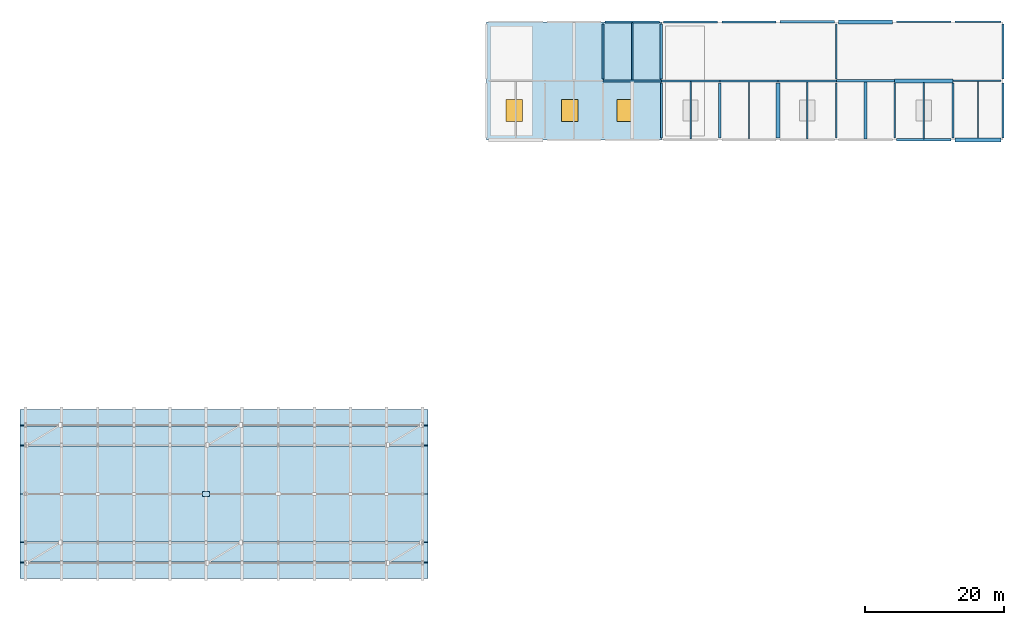
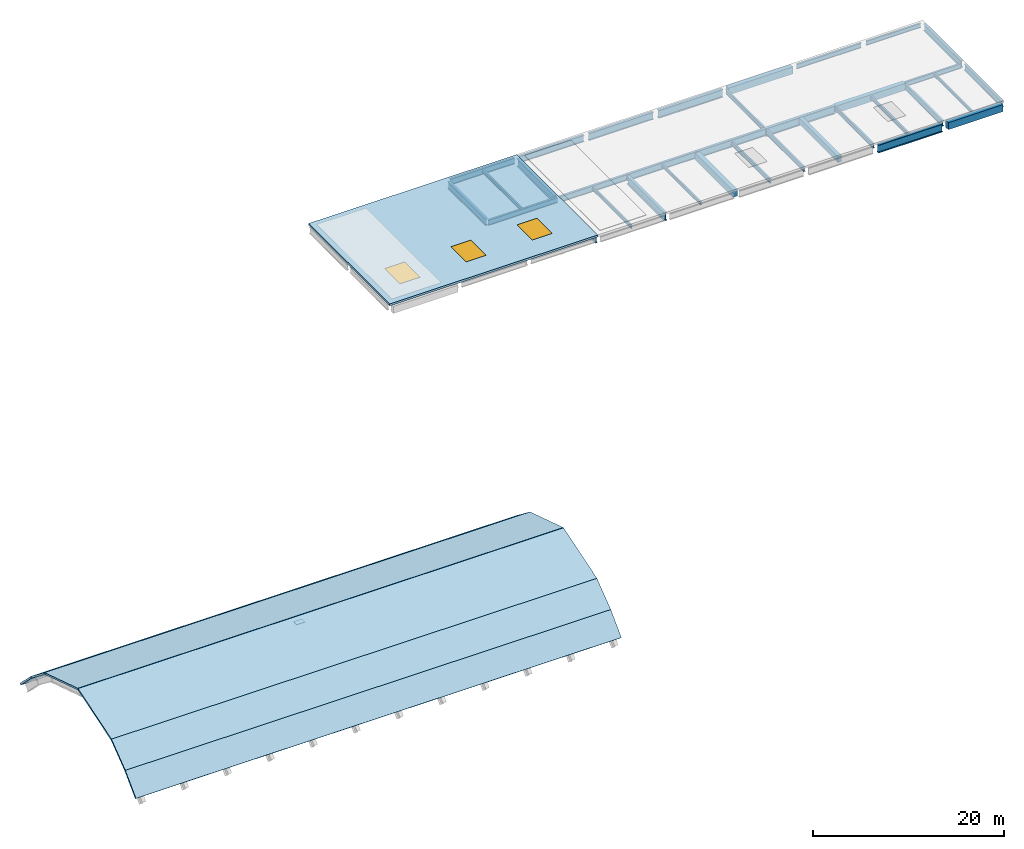
# One storey, part 3 of 6: 34 beams, 7 slabs, 3 windows, 1 plate, 3 openings.
"""IFC4 building model written with IfcOpenShell, lengths in metres."""

from ifc_helpers import new_model, si_unit, direction, frame, origin, origin_2d, place, context, subcontext, project, spatial, polyline, rectangle, i_section, outline, extrude, material, layer, layer_set, material_profile, profile_set, type_object, element, fill, save


model = new_model("IFC4")

# Units and contexts
model_context = context("Model", 3, precision=1e-05, world=origin(), true_north=direction((0.0, 1.0)))
body_context = subcontext(model_context, "Body", "Model", "MODEL_VIEW")
ifc_project = project(units=[si_unit("LENGTHUNIT", "METRE"), si_unit("AREAUNIT", "SQUARE_METRE"), si_unit("VOLUMEUNIT", "CUBIC_METRE"), si_unit("PLANEANGLEUNIT", "RADIAN"), si_unit("MASSUNIT", "GRAM", prefix="KILO")], contexts=[model_context])

# Site, building, storey
site_placement = place(None, origin())
site = spatial("IfcSite", under=ifc_project, at=site_placement, CompositionType="ELEMENT")
building_placement = place(site_placement, origin())
building = spatial("IfcBuilding", under=site, at=building_placement, Name="Solvento Point Concert Hall", CompositionType="ELEMENT")
storey_placement = place(building_placement, frame((0.0, 0.0, 27.89990234375)))
storey = spatial("IfcBuildingStorey", under=building, at=storey_placement, Name="RF", CompositionType="ELEMENT", Elevation=27.89990234375)

# Beams
ifc_material_1 = material(Name="Concrete C35/45", Category="concrete")
ifc_material_profile_1 = material_profile(ifc_material_1, rectangle(XDim=0.449951171875, YDim=0.75, at=origin_2d()), Name="RC-BM-450X750")
ifc_profile_set_1 = profile_set([ifc_material_profile_1], Name="Concrete C35/45")
beam_type_1 = type_object("IfcBeamType", Name="Beam_RC_450x750", PredefinedType="BEAM", material=ifc_profile_set_1)
beam_1_placement = place(storey_placement, frame((196.199951171875, 119.138916015625, -0.638916015625), z_axis=(0.0, 1.0, 0.0), x_axis=(-1.0, 0.0, 0.0)))
element("IfcBeam", 1, at=beam_1_placement, inside=storey, type_object=beam_type_1, Name="Secondary floor joist B-28 RF", PredefinedType="BEAM", context=body_context, shape_type="SweptSolid", body=[
    extrude(rectangle(XDim=0.449951171875, YDim=0.75, at=origin_2d()), origin(), (0.0, 0.0, 1.0), 8.195556640625),
])
ifc_material_2 = material(Name="Structural Steel ASTM A992 Grade 50", Category="steel")
ifc_material_profile_2 = material_profile(ifc_material_2, i_section(OverallWidth=0.20947265625, OverallDepth=0.532958984375, WebThickness=0.01025390625, FlangeThickness=0.015625, at=origin_2d()), Name="W21X62")
ifc_profile_set_2 = profile_set([ifc_material_profile_2], Name="Structural Steel ASTM A992 Grade 50")
beam_type_2 = type_object("IfcBeamType", Name="Beam_W21X62", PredefinedType="BEAM", material=ifc_profile_set_2)
beam_2_placement = place(storey_placement, frame((187.800048828125, 119.131103515625, -0.530517578125), z_axis=(0.0, 1.0, 0.0), x_axis=(-1.0, 0.0, 0.0)))
element("IfcBeam", 2, at=beam_2_placement, inside=storey, type_object=beam_type_2, Name="Secondary floor joist B-25 RF", PredefinedType="BEAM", context=body_context, shape_type="SweptSolid", body=[
    extrude(i_section(OverallWidth=0.20947265625, OverallDepth=0.532958984375, WebThickness=0.01025390625, FlangeThickness=0.015625, at=origin_2d()), origin(), (0.0, 0.0, 1.0), 8.22998046875),
])
ifc_material_3 = material(Name="Structural Steel ASTM A992 Grade 50", Category="steel")
ifc_material_profile_3 = material_profile(ifc_material_3, i_section(OverallWidth=0.214111328125, OverallDepth=0.549072265625, WebThickness=0.0146484375, FlangeThickness=0.023681640625, at=origin_2d()), Name="W21X93")
ifc_profile_set_3 = profile_set([ifc_material_profile_3], Name="Structural Steel ASTM A992 Grade 50")
beam_type_3 = type_object("IfcBeamType", Name="Beam_W21X93", PredefinedType="BEAM", material=ifc_profile_set_3)
beam_3_placement = place(storey_placement, frame((209.093994140625, 136.0, -0.538330078125), z_axis=(1.0, 0.0, 0.0), x_axis=(0.0, 1.0, 0.0)))
element("IfcBeam", 3, at=beam_3_placement, inside=storey, type_object=beam_type_3, Name="Primary girder B-48 RF", PredefinedType="BEAM", context=body_context, shape_type="SweptSolid", body=[
    extrude(i_section(OverallWidth=0.214111328125, OverallDepth=0.549072265625, WebThickness=0.0146484375, FlangeThickness=0.023681640625, at=origin_2d()), origin(), (0.0, 0.0, 1.0), 6.612060546875),
])
for number, where, z_axis, x_axis, name in (
    (4, (192.0, 127.799560546875, -0.538330078125), (0.0, 1.0, 0.0), (-1.0, 0.0, 0.0), "Primary girder B-48 RF"),
    (5, (200.39990234375, 119.2939453125, -0.538330078125), (0.0, 1.0, 0.0), (-1.0, 0.0, 0.0), "Primary girder B-48 RF"),
):
    element("IfcBeam", number, at=place(storey_placement, frame(where, z_axis=z_axis, x_axis=x_axis)), inside=storey, type_object=beam_type_3, Name=name, PredefinedType="BEAM", context=body_context, shape_type="SweptSolid", body=[
        extrude(i_section(OverallWidth=0.214111328125, OverallDepth=0.549072265625, WebThickness=0.0146484375, FlangeThickness=0.023681640625, at=origin_2d()), origin(), (0.0, 0.0, 1.0), 7.906494140625),
    ])
ifc_material_4 = material(Name="Structural Steel ASTM A992 Grade 50", Category="steel")
ifc_material_profile_4 = material_profile(ifc_material_4, i_section(OverallWidth=0.228515625, OverallDepth=0.60791015625, WebThickness=0.01123046875, FlangeThickness=0.017333984375, at=origin_2d()), Name="W24X76")
ifc_profile_set_4 = profile_set([ifc_material_profile_4], Name="Structural Steel ASTM A992 Grade 50")
beam_type_4 = type_object("IfcBeamType", Name="Beam_W24X76", PredefinedType="BEAM", material=ifc_profile_set_4)
beam_4_placement = place(storey_placement, frame((208.800048828125, 127.5, -0.56787109375), z_axis=(1.0, 0.0, 0.0), x_axis=(0.0, 1.0, 0.0)))
element("IfcBeam", 6, at=beam_4_placement, inside=storey, type_object=beam_type_4, Name="Primary girder B-42 RF", PredefinedType="BEAM", context=body_context, shape_type="SweptSolid", body=[
    extrude(i_section(OverallWidth=0.228515625, OverallDepth=0.60791015625, WebThickness=0.01123046875, FlangeThickness=0.017333984375, at=origin_2d()), origin(), (0.0, 0.0, 1.0), 6.906005859375),
])
beam_5_placement = place(storey_placement, frame((200.694091796875, 136.0, -0.56787109375), z_axis=(1.0, 0.0, 0.0), x_axis=(0.0, 1.0, 0.0)))
element("IfcBeam", 7, at=beam_5_placement, inside=storey, type_object=beam_type_4, Name="Primary girder B-42 RF", PredefinedType="BEAM", context=body_context, shape_type="SweptSolid", body=[
    extrude(i_section(OverallWidth=0.228515625, OverallDepth=0.60791015625, WebThickness=0.01123046875, FlangeThickness=0.017333984375, at=origin_2d()), origin(), (0.0, 0.0, 1.0), 7.81201171875),
])
beam_6_placement = place(storey_placement, frame((192.0, 119.2939453125, -0.56787109375), z_axis=(0.0, 1.0, 0.0), x_axis=(-1.0, 0.0, 0.0)))
element("IfcBeam", 8, at=beam_6_placement, inside=storey, type_object=beam_type_4, Name="Primary girder B-42 RF", PredefinedType="BEAM", context=body_context, shape_type="SweptSolid", body=[
    extrude(i_section(OverallWidth=0.228515625, OverallDepth=0.60791015625, WebThickness=0.01123046875, FlangeThickness=0.017333984375, at=origin_2d()), origin(), (0.0, 0.0, 1.0), 7.906494140625),
])
ifc_material_5 = material(Name="Concrete C35/45", Category="concrete")
ifc_material_profile_5 = material_profile(ifc_material_5, rectangle(XDim=0.550048828125, YDim=0.89990234375, at=origin_2d()), Name="RC-BM-550X900")
ifc_profile_set_5 = profile_set([ifc_material_profile_5], Name="Concrete C35/45")
beam_type_5 = type_object("IfcBeamType", Name="Girder_RC_550x900", PredefinedType="USERDEFINED", material=ifc_profile_set_5)
beam_7_placement = place(storey_placement, frame((209.093994140625, 119.0, -0.7138671875), z_axis=(1.0, 0.0, 0.0), x_axis=(0.0, 1.0, 0.0)))
element("IfcBeam", 9, at=beam_7_placement, inside=storey, type_object=beam_type_5, Name="Primary girder B-39 RF", ObjectType="GIRDER", PredefinedType="USERDEFINED", context=body_context, shape_type="SweptSolid", body=[
    extrude(rectangle(XDim=0.550048828125, YDim=0.89990234375, at=origin_2d()), origin(), (0.0, 0.0, 1.0), 6.612060546875),
])
beam_8_placement = place(storey_placement, frame((200.39990234375, 127.5, -0.7138671875), z_axis=(1.0, 0.0, 0.0), x_axis=(0.0, 1.0, 0.0)))
element("IfcBeam", 10, at=beam_8_placement, inside=storey, type_object=beam_type_5, Name="Primary girder B-39 RF", ObjectType="GIRDER", PredefinedType="USERDEFINED", context=body_context, shape_type="SweptSolid", body=[
    extrude(rectangle(XDim=0.550048828125, YDim=0.89990234375, at=origin_2d()), origin(), (0.0, 0.0, 1.0), 8.400146484375),
])
beam_9_placement = place(storey_placement, frame((192.2939453125, 136.0, -0.7138671875), z_axis=(1.0, 0.0, 0.0), x_axis=(0.0, 1.0, 0.0)))
element("IfcBeam", 11, at=beam_9_placement, inside=storey, type_object=beam_type_5, Name="Primary girder B-39 RF", ObjectType="GIRDER", PredefinedType="USERDEFINED", context=body_context, shape_type="SweptSolid", body=[
    extrude(rectangle(XDim=0.550048828125, YDim=0.89990234375, at=origin_2d()), origin(), (0.0, 0.0, 1.0), 7.81201171875),
])
beam_10_placement = place(storey_placement, frame((183.60009765625, 119.2939453125, -0.7138671875), z_axis=(0.0, 1.0, 0.0), x_axis=(-1.0, 0.0, 0.0)))
element("IfcBeam", 12, at=beam_10_placement, inside=storey, type_object=beam_type_5, Name="Primary girder B-39 RF", ObjectType="GIRDER", PredefinedType="USERDEFINED", context=body_context, shape_type="SweptSolid", body=[
    extrude(rectangle(XDim=0.550048828125, YDim=0.89990234375, at=origin_2d()), origin(), (0.0, 0.0, 1.0), 7.906494140625),
])
ifc_material_6 = material(Name="Structural Steel ASTM A992 Grade 50", Category="steel")
ifc_material_profile_6 = material_profile(ifc_material_6, i_section(OverallWidth=0.256103515625, OverallDepth=0.693115234375, WebThickness=0.014404296875, FlangeThickness=0.023681640625, at=origin_2d()), Name="W27X114")
ifc_profile_set_6 = profile_set([ifc_material_profile_6], Name="Structural Steel ASTM A992 Grade 50")
beam_type_6 = type_object("IfcBeamType", Name="Girder_W27X114", PredefinedType="USERDEFINED", material=ifc_profile_set_6)
beam_11_placement = place(storey_placement, frame((158.39990234375, 127.5, -0.6103515625), z_axis=(1.0, 0.0, 0.0), x_axis=(0.0, 1.0, 0.0)))
element("IfcBeam", 13, at=beam_11_placement, inside=storey, type_object=beam_type_6, Name="Primary girder B-23 RF", ObjectType="GIRDER", PredefinedType="USERDEFINED", context=body_context, shape_type="SweptSolid", body=[
    extrude(i_section(OverallWidth=0.256103515625, OverallDepth=0.693115234375, WebThickness=0.014404296875, FlangeThickness=0.023681640625, at=origin_2d()), origin(), (0.0, 0.0, 1.0), 8.400146484375),
])
beam_12_placement = place(storey_placement, frame((208.800048828125, 119.2939453125, -0.6103515625), z_axis=(0.0, 1.0, 0.0), x_axis=(-1.0, 0.0, 0.0)))
element("IfcBeam", 14, at=beam_12_placement, inside=storey, type_object=beam_type_6, Name="Primary girder B-23 RF", ObjectType="GIRDER", PredefinedType="USERDEFINED", context=body_context, shape_type="SweptSolid", body=[
    extrude(i_section(OverallWidth=0.256103515625, OverallDepth=0.693115234375, WebThickness=0.014404296875, FlangeThickness=0.023681640625, at=origin_2d()), origin(), (0.0, 0.0, 1.0), 7.906494140625),
])
ifc_material_7 = material(Name="Structural Steel ASTM A992 Grade 50", Category="steel")
ifc_material_profile_7 = material_profile(ifc_material_7, i_section(OverallWidth=0.26806640625, OverallDepth=0.77001953125, WebThickness=0.015625, FlangeThickness=0.025390625, at=origin_2d()), Name="W30X132")
ifc_profile_set_7 = profile_set([ifc_material_profile_7], Name="Structural Steel ASTM A992 Grade 50")
beam_type_7 = type_object("IfcBeamType", Name="Girder_W30X132", PredefinedType="USERDEFINED", material=ifc_profile_set_7)
beam_13_placement = place(storey_placement, frame((166.800048828125, 127.5, -0.64892578125), z_axis=(1.0, 0.0, 0.0), x_axis=(0.0, 1.0, 0.0)))
element("IfcBeam", 15, at=beam_13_placement, inside=storey, type_object=beam_type_7, Name="Primary girder B-68 RF", ObjectType="GIRDER", PredefinedType="USERDEFINED", context=body_context, shape_type="SweptSolid", body=[
    extrude(i_section(OverallWidth=0.26806640625, OverallDepth=0.77001953125, WebThickness=0.015625, FlangeThickness=0.025390625, at=origin_2d()), origin(), (0.0, 0.0, 1.0), 8.39990234375),
])
beam_14_placement = place(storey_placement, frame((158.694091796875, 136.0, -0.64892578125), z_axis=(1.0, 0.0, 0.0), x_axis=(0.0, 1.0, 0.0)))
element("IfcBeam", 16, at=beam_14_placement, inside=storey, type_object=beam_type_7, Name="Primary girder B-68 RF", ObjectType="GIRDER", PredefinedType="USERDEFINED", context=body_context, shape_type="SweptSolid", body=[
    extrude(i_section(OverallWidth=0.26806640625, OverallDepth=0.77001953125, WebThickness=0.015625, FlangeThickness=0.025390625, at=origin_2d()), origin(), (0.0, 0.0, 1.0), 7.81201171875),
])
beam_15_placement = place(storey_placement, frame((216.0, 119.2939453125, -0.64892578125), z_axis=(0.0, 1.0, 0.0), x_axis=(-1.0, 0.0, 0.0)))
element("IfcBeam", 17, at=beam_15_placement, inside=storey, type_object=beam_type_7, Name="Primary girder B-68 RF", ObjectType="GIRDER", PredefinedType="USERDEFINED", context=body_context, shape_type="SweptSolid", body=[
    extrude(i_section(OverallWidth=0.26806640625, OverallDepth=0.77001953125, WebThickness=0.015625, FlangeThickness=0.025390625, at=origin_2d()), origin(), (0.0, 0.0, 1.0), 7.912109375),
])
ifc_material_8 = material(Name="Structural Steel ASTM A992 Grade 50", Category="steel")
ifc_material_profile_8 = material_profile(ifc_material_8, i_section(OverallWidth=0.2919921875, OverallDepth=0.85888671875, WebThickness=0.01708984375, FlangeThickness=0.031005859375, at=origin_2d()), Name="W33X169")
ifc_profile_set_8 = profile_set([ifc_material_profile_8], Name="Structural Steel ASTM A992 Grade 50")
beam_type_8 = type_object("IfcBeamType", Name="Girder_W33X169", PredefinedType="USERDEFINED", material=ifc_profile_set_8)
beam_16_placement = place(storey_placement, frame((175.199951171875, 127.5, -0.693359375), z_axis=(1.0, 0.0, 0.0), x_axis=(0.0, 1.0, 0.0)))
element("IfcBeam", 18, at=beam_16_placement, inside=storey, type_object=beam_type_8, Name="Primary girder B-33 RF", ObjectType="GIRDER", PredefinedType="USERDEFINED", context=body_context, shape_type="SweptSolid", body=[
    extrude(i_section(OverallWidth=0.2919921875, OverallDepth=0.85888671875, WebThickness=0.01708984375, FlangeThickness=0.031005859375, at=origin_2d()), origin(), (0.0, 0.0, 1.0), 8.400146484375),
])
beam_17_placement = place(storey_placement, frame((167.093994140625, 136.0, -0.693359375), z_axis=(1.0, 0.0, 0.0), x_axis=(0.0, 1.0, 0.0)))
element("IfcBeam", 19, at=beam_17_placement, inside=storey, type_object=beam_type_8, Name="Primary girder B-33 RF", ObjectType="GIRDER", PredefinedType="USERDEFINED", context=body_context, shape_type="SweptSolid", body=[
    extrude(i_section(OverallWidth=0.2919921875, OverallDepth=0.85888671875, WebThickness=0.01708984375, FlangeThickness=0.031005859375, at=origin_2d()), origin(), (0.0, 0.0, 1.0), 7.81201171875),
])
beam_18_placement = place(storey_placement, frame((216.0, 127.7939453125, -0.693359375), z_axis=(0.0, 1.0, 0.0), x_axis=(-1.0, 0.0, 0.0)))
element("IfcBeam", 20, at=beam_18_placement, inside=storey, type_object=beam_type_8, Name="Primary girder B-33 RF", ObjectType="GIRDER", PredefinedType="USERDEFINED", context=body_context, shape_type="SweptSolid", body=[
    extrude(i_section(OverallWidth=0.2919921875, OverallDepth=0.85888671875, WebThickness=0.01708984375, FlangeThickness=0.031005859375, at=origin_2d()), origin(), (0.0, 0.0, 1.0), 7.912109375),
])
ifc_material_9 = material(Name="Structural Steel ASTM A992 Grade 50", Category="steel")
ifc_material_profile_9 = material_profile(ifc_material_9, i_section(OverallWidth=0.3076171875, OverallDepth=0.927001953125, WebThickness=0.019287109375, FlangeThickness=0.031982421875, at=origin_2d()), Name="W36X194")
ifc_profile_set_9 = profile_set([ifc_material_profile_9], Name="Structural Steel ASTM A992 Grade 50")
beam_type_9 = type_object("IfcBeamType", Name="Girder_W36X194", PredefinedType="USERDEFINED", material=ifc_profile_set_9)
beam_19_placement = place(storey_placement, frame((183.60009765625, 127.5, -0.727294921875), z_axis=(1.0, 0.0, 0.0), x_axis=(0.0, 1.0, 0.0)))
element("IfcBeam", 21, at=beam_19_placement, inside=storey, type_object=beam_type_9, Name="Primary girder B-61 RF", ObjectType="GIRDER", PredefinedType="USERDEFINED", context=body_context, shape_type="SweptSolid", body=[
    extrude(i_section(OverallWidth=0.3076171875, OverallDepth=0.927001953125, WebThickness=0.019287109375, FlangeThickness=0.031982421875, at=origin_2d()), origin(), (0.0, 0.0, 1.0), 8.39990234375),
])
beam_20_placement = place(storey_placement, frame((175.493896484375, 136.0, -0.727294921875), z_axis=(1.0, 0.0, 0.0), x_axis=(0.0, 1.0, 0.0)))
element("IfcBeam", 22, at=beam_20_placement, inside=storey, type_object=beam_type_9, Name="Primary girder B-61 RF", ObjectType="GIRDER", PredefinedType="USERDEFINED", context=body_context, shape_type="SweptSolid", body=[
    extrude(i_section(OverallWidth=0.3076171875, OverallDepth=0.927001953125, WebThickness=0.019287109375, FlangeThickness=0.031982421875, at=origin_2d()), origin(), (0.0, 0.0, 1.0), 7.81201171875),
])
for number, where, z_axis, x_axis, name in (
    (23, (158.39990234375, 127.799560546875, -0.727294921875), (0.0, 1.0, 0.0), (-1.0, 0.0, 0.0), "Primary girder B-61 RF"),
    (24, (166.800048828125, 119.2939453125, -0.727294921875), (0.0, 1.0, 0.0), (-1.0, 0.0, 0.0), "Primary girder B-61 RF"),
):
    element("IfcBeam", number, at=place(storey_placement, frame(where, z_axis=z_axis, x_axis=x_axis)), inside=storey, type_object=beam_type_9, Name=name, ObjectType="GIRDER", PredefinedType="USERDEFINED", context=body_context, shape_type="SweptSolid", body=[
        extrude(i_section(OverallWidth=0.3076171875, OverallDepth=0.927001953125, WebThickness=0.019287109375, FlangeThickness=0.031982421875, at=origin_2d()), origin(), (0.0, 0.0, 1.0), 7.906494140625),
    ])
ifc_material_10 = material(Name="Structural Steel ASTM A992 Grade 50", Category="steel")
ifc_material_profile_10 = material_profile(ifc_material_10, i_section(OverallWidth=0.361083984375, OverallDepth=1.02587890625, WebThickness=0.01904296875, FlangeThickness=0.0361328125, at=origin_2d()), Name="W40X249")
ifc_profile_set_10 = profile_set([ifc_material_profile_10], Name="Structural Steel ASTM A992 Grade 50")
beam_type_10 = type_object("IfcBeamType", Name="Girder_W40X249", PredefinedType="USERDEFINED", material=ifc_profile_set_10)
beam_21_placement = place(storey_placement, frame((200.694091796875, 119.0, -0.77685546875), z_axis=(1.0, 0.0, 0.0), x_axis=(0.0, 1.0, 0.0)))
element("IfcBeam", 25, at=beam_21_placement, inside=storey, type_object=beam_type_10, Name="Primary girder B-29 RF", ObjectType="GIRDER", PredefinedType="USERDEFINED", context=body_context, shape_type="SweptSolid", body=[
    extrude(i_section(OverallWidth=0.361083984375, OverallDepth=1.02587890625, WebThickness=0.01904296875, FlangeThickness=0.0361328125, at=origin_2d()), origin(), (0.0, 0.0, 1.0), 7.81201171875),
])
beam_22_placement = place(storey_placement, frame((192.0, 127.5, -0.77685546875), z_axis=(1.0, 0.0, 0.0), x_axis=(0.0, 1.0, 0.0)))
element("IfcBeam", 26, at=beam_22_placement, inside=storey, type_object=beam_type_10, Name="Primary girder B-29 RF", ObjectType="GIRDER", PredefinedType="USERDEFINED", context=body_context, shape_type="SweptSolid", body=[
    extrude(i_section(OverallWidth=0.361083984375, OverallDepth=1.02587890625, WebThickness=0.01904296875, FlangeThickness=0.0361328125, at=origin_2d()), origin(), (0.0, 0.0, 1.0), 8.39990234375),
])
beam_23_placement = place(storey_placement, frame((183.89404296875, 136.0, -0.77685546875), z_axis=(1.0, 0.0, 0.0), x_axis=(0.0, 1.0, 0.0)))
element("IfcBeam", 27, at=beam_23_placement, inside=storey, type_object=beam_type_10, Name="Primary girder B-29 RF", ObjectType="GIRDER", PredefinedType="USERDEFINED", context=body_context, shape_type="SweptSolid", body=[
    extrude(i_section(OverallWidth=0.361083984375, OverallDepth=1.02587890625, WebThickness=0.01904296875, FlangeThickness=0.0361328125, at=origin_2d()), origin(), (0.0, 0.0, 1.0), 7.81201171875),
])
for number, where, z_axis, x_axis, name in (
    (28, (166.800048828125, 127.799560546875, -0.77685546875), (0.0, 1.0, 0.0), (-1.0, 0.0, 0.0), "Primary girder B-29 RF"),
    (29, (175.199951171875, 119.2939453125, -0.77685546875), (0.0, 1.0, 0.0), (-1.0, 0.0, 0.0), "Primary girder B-29 RF"),
):
    element("IfcBeam", number, at=place(storey_placement, frame(where, z_axis=z_axis, x_axis=x_axis)), inside=storey, type_object=beam_type_10, Name=name, ObjectType="GIRDER", PredefinedType="USERDEFINED", context=body_context, shape_type="SweptSolid", body=[
        extrude(i_section(OverallWidth=0.361083984375, OverallDepth=1.02587890625, WebThickness=0.01904296875, FlangeThickness=0.0361328125, at=origin_2d()), origin(), (0.0, 0.0, 1.0), 7.906494140625),
    ])
ifc_material_11 = material(Name="Structural Steel ASTM A992 Grade 50", Category="steel")
ifc_material_profile_11 = material_profile(ifc_material_11, i_section(OverallWidth=0.177490234375, OverallDepth=0.403076171875, WebThickness=0.007568359375, FlangeThickness=0.010986328125, at=origin_2d()), Name="W16X36")
ifc_profile_set_11 = profile_set([ifc_material_profile_11], Name="Structural Steel ASTM A992 Grade 50")
beam_type_11 = type_object("IfcBeamType", Name="Joist_W16X36", PredefinedType="JOIST", material=ifc_profile_set_11)
beam_24_placement = place(storey_placement, frame((179.39990234375, 119.118896484375, -0.46533203125), z_axis=(0.0, 1.0, 0.0), x_axis=(-1.0, 0.0, 0.0)))
element("IfcBeam", 30, at=beam_24_placement, inside=storey, type_object=beam_type_11, Name="Secondary floor joist B-30 RF", PredefinedType="JOIST", context=body_context, shape_type="SweptSolid", body=[
    extrude(i_section(OverallWidth=0.177490234375, OverallDepth=0.403076171875, WebThickness=0.007568359375, FlangeThickness=0.010986328125, at=origin_2d()), origin(), (0.0, 0.0, 1.0), 8.25),
])
beam_25_placement = place(storey_placement, frame((212.39990234375, 119.260009765625, -0.46533203125), z_axis=(0.0, 1.0, 0.0), x_axis=(-1.0, 0.0, 0.0)))
element("IfcBeam", 31, at=beam_25_placement, inside=storey, type_object=beam_type_11, Name="Secondary floor joist B-30 RF", PredefinedType="JOIST", context=body_context, shape_type="SweptSolid", body=[
    extrude(i_section(OverallWidth=0.177490234375, OverallDepth=0.403076171875, WebThickness=0.007568359375, FlangeThickness=0.010986328125, at=origin_2d()), origin(), (0.0, 0.0, 1.0), 8.140869140625),
])
ifc_material_12 = material(Name="Structural Steel ASTM A992 Grade 50", Category="steel")
ifc_material_profile_12 = material_profile(ifc_material_12, i_section(OverallWidth=0.1904296875, OverallDepth=0.45703125, WebThickness=0.009033203125, FlangeThickness=0.014404296875, at=origin_2d()), Name="W18X50")
ifc_profile_set_12 = profile_set([ifc_material_profile_12], Name="Structural Steel ASTM A992 Grade 50")
beam_type_12 = type_object("IfcBeamType", Name="Joist_W18X50", PredefinedType="JOIST", material=ifc_profile_set_12)
for number, where, z_axis, x_axis, name in (
    (32, (162.60009765625, 127.613037109375, -0.492431640625), (0.0, 1.0, 0.0), (-1.0, 0.0, 0.0), "Secondary floor joist B-66 RF"),
    (33, (171.0, 119.113037109375, -0.492431640625), (0.0, 1.0, 0.0), (-1.0, 0.0, 0.0), "Secondary floor joist B-66 RF"),
):
    element("IfcBeam", number, at=place(storey_placement, frame(where, z_axis=z_axis, x_axis=x_axis)), inside=storey, type_object=beam_type_12, Name=name, PredefinedType="JOIST", context=body_context, shape_type="SweptSolid", body=[
        extrude(i_section(OverallWidth=0.1904296875, OverallDepth=0.45703125, WebThickness=0.009033203125, FlangeThickness=0.014404296875, at=origin_2d()), origin(), (0.0, 0.0, 1.0), 8.26806640625),
    ])
beam_26_placement = place(storey_placement, frame((204.60009765625, 119.16552734375, -0.492431640625), z_axis=(0.0, 1.0, 0.0), x_axis=(-1.0, 0.0, 0.0)))
element("IfcBeam", 34, at=beam_26_placement, inside=storey, type_object=beam_type_12, Name="Secondary floor joist B-66 RF", PredefinedType="JOIST", context=body_context, shape_type="SweptSolid", body=[
    extrude(i_section(OverallWidth=0.1904296875, OverallDepth=0.45703125, WebThickness=0.009033203125, FlangeThickness=0.014404296875, at=origin_2d()), origin(), (0.0, 0.0, 1.0), 8.074462890625),
])

# Plate
ifc_material_13 = material(Name="Structural Steel ASTM A572 Grade 50", Category="steel")
ifc_layer_1 = layer(ifc_material_13, 0.031982421875)
ifc_layer_set_1 = layer_set([ifc_layer_1], Name="Structural Steel ASTM A572 Grade 50")
plate_type = type_object("IfcPlateType", Name="BaseShoePlate_32", PredefinedType="SHEET", material=ifc_layer_set_1)
plate_placement = place(storey_placement, frame((101.199951171875, 68.0, 4.333984375), z_axis=(0.0, 0.0, 1.0), x_axis=(1.0, 0.0, 0.0)))
element("IfcPlate", 35, at=plate_placement, inside=storey, type_object=plate_type, Name="Arch rib crown splice node PL-BS1", PredefinedType="SHEET", context=body_context, shape_type="SweptSolid", body=[
    extrude(rectangle(XDim=1.050048828125, YDim=0.699951171875, at=origin_2d()), origin(), (0.0, 0.0, 1.0), 0.031982421875),
])

# Slab, openings, windows
ifc_material_14 = material(Name="Concrete C40/50", Category="concrete")
ifc_layer_2 = layer(ifc_material_14, 0.260009765625)
ifc_layer_set_2 = layer_set([ifc_layer_2], Name="Concrete C40/50")
slab_type_1 = type_object("IfcSlabType", Name="RoofFlat_260", PredefinedType="ROOF", material=ifc_layer_set_2)
slab_1_placement = place(storey_placement, frame((0.0, 0.0, -0.260009765625)))
slab_1 = element("IfcSlab", 36, at=slab_1_placement, inside=storey, type_object=slab_type_1, Name="Structural slab RF-DK1 RF-V1-PNT", PredefinedType="ROOF", context=body_context, shape_type="SweptSolid", body=[
    extrude(outline(polyline([(141.60009765625, 119.0), (141.60009765625, 136.0), (166.800048828125, 136.0), (166.800048828125, 119.0), (141.60009765625, 119.0)])), origin(), (0.0, 0.0, 1.0), 0.260009765625),
])
opening_1_placement = place(slab_1_placement, frame((145.60009765625, 123.25, 0.0)))
opening_1 = element("IfcOpeningElement", 37, at=opening_1_placement, cuts=slab_1, Name="Opening SK-23", PredefinedType="OPENING", context=body_context, shape_type="SweptSolid", body=[
    extrude(rectangle(XDim=2.39990234375, YDim=3.199951171875, at=origin_2d()), origin(), (0.0, 0.0, 1.0), 0.260009765625),
])
opening_2_placement = place(slab_1_placement, frame((153.60009765625, 123.25, 0.0)))
opening_2 = element("IfcOpeningElement", 38, at=opening_2_placement, cuts=slab_1, Name="Opening SK-23", PredefinedType="OPENING", context=body_context, shape_type="SweptSolid", body=[
    extrude(rectangle(XDim=2.39990234375, YDim=3.199951171875, at=origin_2d()), origin(), (0.0, 0.0, 1.0), 0.260009765625),
])
opening_3_placement = place(slab_1_placement, frame((161.60009765625, 123.25, 0.0)))
opening_3 = element("IfcOpeningElement", 39, at=opening_3_placement, cuts=slab_1, Name="Opening SK-23", PredefinedType="OPENING", context=body_context, shape_type="SweptSolid", body=[
    extrude(rectangle(XDim=2.39990234375, YDim=3.199951171875, at=origin_2d()), origin(), (0.0, 0.0, 1.0), 0.260009765625),
])
ifc_material_15 = material(Name="Hurricane Laminated Low-E Glass", Category="glass")
window_type = type_object("IfcWindowType", Name="Skylight_PenthouseMonitor", PartitioningType="SINGLE_PANEL", PredefinedType="SKYLIGHT", material=ifc_material_15)
window_1_placement = place(opening_1_placement, frame((0.0, 0.0, 0.2099609375)))
window_1 = element("IfcWindow", 40, at=window_1_placement, inside=storey, type_object=window_type, Name="Acoustic laminated skylight SK-23", OverallHeight=3.199951171875, OverallWidth=2.39990234375, PartitioningType="SINGLE_PANEL", PredefinedType="SKYLIGHT", context=body_context, shape_type="SweptSolid", body=[
    extrude(rectangle(XDim=2.39990234375, YDim=3.199951171875, at=origin_2d()), origin(), (0.0, 0.0, 1.0), 0.050048828125),
])
fill(opening_1, window_1)
window_2_placement = place(opening_2_placement, frame((0.0, 0.0, 0.2099609375)))
window_2 = element("IfcWindow", 41, at=window_2_placement, inside=storey, type_object=window_type, Name="Acoustic laminated skylight SK-23", OverallHeight=3.199951171875, OverallWidth=2.39990234375, PartitioningType="SINGLE_PANEL", PredefinedType="SKYLIGHT", context=body_context, shape_type="SweptSolid", body=[
    extrude(rectangle(XDim=2.39990234375, YDim=3.199951171875, at=origin_2d()), origin(), (0.0, 0.0, 1.0), 0.050048828125),
])
fill(opening_2, window_2)
window_3_placement = place(opening_3_placement, frame((0.0, 0.0, 0.2099609375)))
window_3 = element("IfcWindow", 42, at=window_3_placement, inside=storey, type_object=window_type, Name="Acoustic laminated skylight SK-23", OverallHeight=3.199951171875, OverallWidth=2.39990234375, PartitioningType="SINGLE_PANEL", PredefinedType="SKYLIGHT", context=body_context, shape_type="SweptSolid", body=[
    extrude(rectangle(XDim=2.39990234375, YDim=3.199951171875, at=origin_2d()), origin(), (0.0, 0.0, 1.0), 0.050048828125),
])
fill(opening_3, window_3)

# Slabs
ifc_material_16 = material(Name="Concrete C40/50", Category="concrete")
ifc_layer_3 = layer(ifc_material_16, 0.219970703125)
ifc_layer_set_3 = layer_set([ifc_layer_3], Name="Concrete C40/50")
slab_type_2 = type_object("IfcSlabType", Name="RoofShell_220", PredefinedType="ROOF", material=ifc_layer_set_3)
slab_2_placement = place(storey_placement, frame((74.39990234375, 55.837890625, -1.47998046875), z_axis=(0.0, -0.707377370058, 0.706836088729), x_axis=(1.0, 0.0, 0.0)))
element("IfcSlab", 43, at=slab_2_placement, inside=storey, type_object=slab_type_2, Name="Concrete acoustic shell roof panel CS-01 #4", PredefinedType="ROOF", context=body_context, shape_type="SweptSolid", body=[
    extrude(outline(polyline([(0.0, 0.0), (58.800048828125, 0.0), (58.800048828125, 3.1572941573152162), (0.0, 3.1572941573152162), (0.0, 0.0)])), origin(), (0.0, 0.0, -1.0), 0.219970703125),
])
slab_3_placement = place(storey_placement, frame((74.39990234375, 58.069580078125, 0.75341796875), z_axis=(0.0, -0.609047746188, 0.793133559285), x_axis=(1.0, 0.0, 0.0)))
element("IfcSlab", 44, at=slab_3_placement, inside=storey, type_object=slab_type_2, Name="Concrete acoustic shell roof panel CS-01 #5", PredefinedType="ROOF", context=body_context, shape_type="SweptSolid", body=[
    extrude(outline(polyline([(0.0, 0.0), (58.800048828125, 0.0), (58.800048828125, 3.667033416475637), (0.0, 3.667033416475637), (0.0, 0.0)])), origin(), (0.0, 0.0, -1.0), 0.219970703125),
])
for number, where, z_axis, x_axis, name in (
    (45, (74.39990234375, 60.97802734375, 2.98681640625), (0.0, -0.304037606718, 0.952660030494), (1.0, 0.0, 0.0), "Concrete acoustic shell roof panel CS-01 #6"),
    (46, (74.39990234375, 68.02392578125, 5.22021484375), (0.0, 0.304037606718, 0.952660030494), (1.0, 0.0, 0.0), "Concrete acoustic shell roof panel CS-01 #7"),
):
    element("IfcSlab", number, at=place(storey_placement, frame(where, z_axis=z_axis, x_axis=x_axis)), inside=storey, type_object=slab_type_2, Name=name, PredefinedType="ROOF", context=body_context, shape_type="SweptSolid", body=[
        extrude(outline(polyline([(0.0, 0.0), (58.800048828125, 0.0), (58.800048828125, 7.34579666512249), (0.0, 7.34579666512249), (0.0, 0.0)])), origin(), (0.0, 0.0, -1.0), 0.219970703125),
    ])
slab_4_placement = place(storey_placement, frame((74.39990234375, 75.02197265625, 2.98681640625), z_axis=(0.0, 0.609047746188, 0.793133559285), x_axis=(1.0, 0.0, 0.0)))
element("IfcSlab", 47, at=slab_4_placement, inside=storey, type_object=slab_type_2, Name="Concrete acoustic shell roof panel CS-01 #8", PredefinedType="ROOF", context=body_context, shape_type="SweptSolid", body=[
    extrude(outline(polyline([(0.0, 0.0), (58.800048828125, 0.0), (58.800048828125, 3.667033416475637), (0.0, 3.667033416475637), (0.0, 0.0)])), origin(), (0.0, 0.0, -1.0), 0.219970703125),
])
slab_5_placement = place(storey_placement, frame((74.39990234375, 77.930419921875, 0.75341796875), z_axis=(0.0, 0.707377370058, 0.706836088729), x_axis=(1.0, 0.0, 0.0)))
element("IfcSlab", 48, at=slab_5_placement, inside=storey, type_object=slab_type_2, Name="Concrete acoustic shell roof panel CS-01 #9", PredefinedType="ROOF", context=body_context, shape_type="SweptSolid", body=[
    extrude(outline(polyline([(0.0, 0.0), (58.800048828125, 0.0), (58.800048828125, 3.1572941573152162), (0.0, 3.1572941573152162), (0.0, 0.0)])), origin(), (0.0, 0.0, -1.0), 0.219970703125),
])

save(model, "model.ifc")
